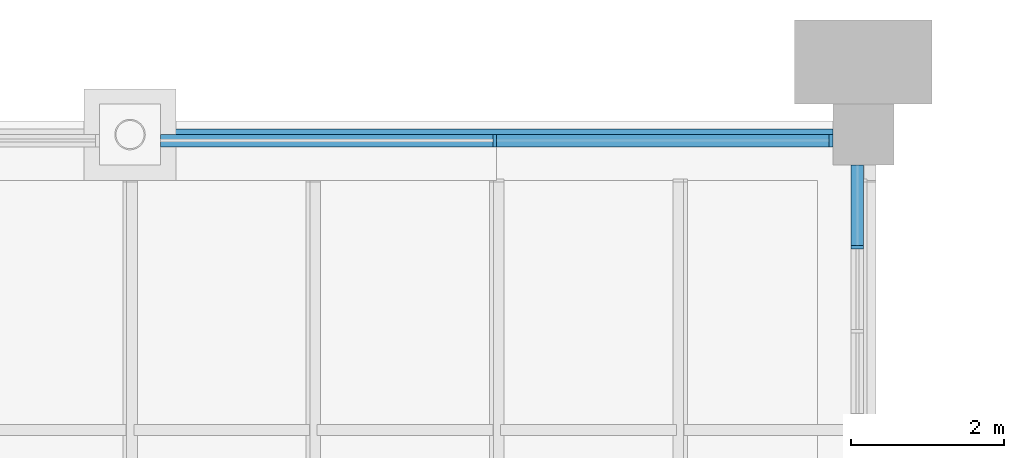
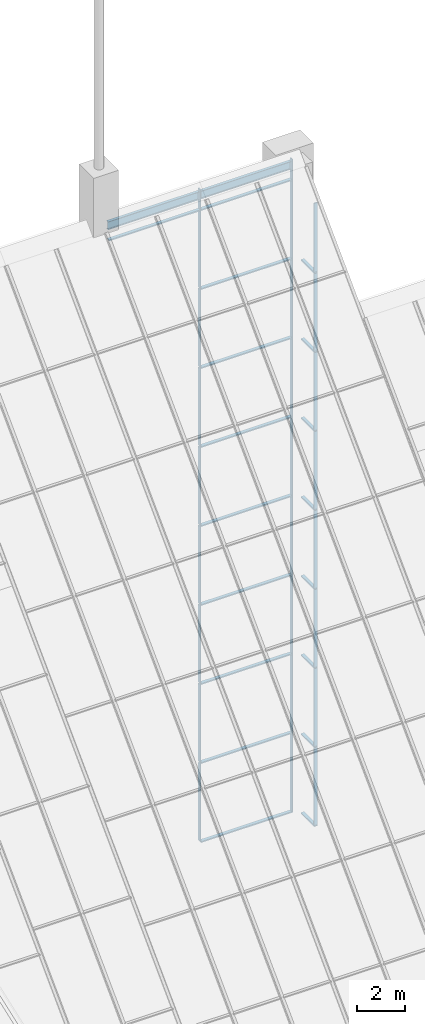
# One storey, part 15 of 25: 44 members, 1 beam, 26 elements without a shape of their own.
"""IFC4 building model written with IfcOpenShell, lengths in metres."""

from ifc_helpers import new_model, si_unit, direction, frame, origin, origin_2d, place, context, subcontext, project, spatial, rectangle, i_section, extrude, material, material_profile, profile_set, type_object, element, aggregate, save


model = new_model("IFC4")

# Units and contexts
model_context = context("Model", 3, precision=1e-05, world=origin(), true_north=direction((0.0, 1.0)))
body_context = subcontext(model_context, "Body", "Model", "MODEL_VIEW")
ifc_project = project(units=[si_unit("LENGTHUNIT", "METRE"), si_unit("AREAUNIT", "SQUARE_METRE"), si_unit("VOLUMEUNIT", "CUBIC_METRE"), si_unit("PLANEANGLEUNIT", "RADIAN"), si_unit("MASSUNIT", "GRAM", prefix="KILO")], contexts=[model_context])

# Site, building, storey
site_placement = place(None, origin())
site = spatial("IfcSite", under=ifc_project, at=site_placement, CompositionType="ELEMENT")
building_placement = place(site_placement, origin())
building = spatial("IfcBuilding", under=site, at=building_placement, Name="Baori Bourse Tower", CompositionType="ELEMENT")
storey_placement = place(building_placement, frame((0.0, 0.0, 378.300048828125)))
storey = spatial("IfcBuildingStorey", under=building, at=storey_placement, Name="Roof", CompositionType="ELEMENT", Elevation=378.300048828125)

# Curtain wall, member
ifc_material_1 = material(Name="Pale anodised aluminium", Category="aluminium")
curtain_wall_type = type_object("IfcCurtainWallType", Name="CW3 Curtain wall", PredefinedType="NOTDEFINED", material=ifc_material_1)
curtain_wall_1_placement = place(storey_placement, origin())
curtain_wall_1 = element("IfcCurtainWall", 1, at=curtain_wall_1_placement, inside=storey, type_object=curtain_wall_type, Name="Curtain wall CW3 Roof 57", PredefinedType="NOTDEFINED")
ifc_material_2 = material(Name="Pale anodised aluminium", Category="aluminium")
ifc_material_profile_1 = material_profile(ifc_material_2, rectangle(XDim=0.159912109375, YDim=0.050048828125, at=origin_2d()), Name="Mullion 50x160")
ifc_profile_set_1 = profile_set([ifc_material_profile_1], Name="Pale anodised aluminium")
member_type_1 = type_object("IfcMemberType", Name="CW3 Curtain wall mullion", PredefinedType="MULLION", material=ifc_profile_set_1)
member_1_placement = place(storey_placement, frame((38.320068359375, 46.52490234375, -0.18994140625), z_axis=(0.0, 0.0, 1.0), x_axis=(-1.0, 0.0, 0.0)))
member_1 = element("IfcMember", 2, at=member_1_placement, type_object=member_type_1, Name="Curtain wall CW3 mullion", PredefinedType="MULLION", context=body_context, shape_type="SweptSolid", body=[
    extrude(rectangle(XDim=0.159912109375, YDim=0.050048828125, at=origin_2d()), origin(), (0.0, 0.0, 1.0), 3.93994140625),
])

curtain_wall_2_placement = place(storey_placement, origin())
curtain_wall_2 = element("IfcCurtainWall", 3, at=curtain_wall_2_placement, inside=storey, type_object=curtain_wall_type, Name="Curtain wall CW3 Roof 58", PredefinedType="NOTDEFINED")
member_2_placement = place(storey_placement, frame((38.320068359375, 46.52490234375, 3.81005859375), z_axis=(0.0, 0.0, 1.0), x_axis=(-1.0, 0.0, 0.0)))
member_2 = element("IfcMember", 4, at=member_2_placement, type_object=member_type_1, Name="Curtain wall CW3 mullion", PredefinedType="MULLION", context=body_context, shape_type="SweptSolid", body=[
    extrude(rectangle(XDim=0.159912109375, YDim=0.050048828125, at=origin_2d()), origin(), (0.0, 0.0, 1.0), 3.93994140625),
])

curtain_wall_3_placement = place(storey_placement, origin())
curtain_wall_3 = element("IfcCurtainWall", 5, at=curtain_wall_3_placement, inside=storey, type_object=curtain_wall_type, Name="Curtain wall CW3 Roof 59", PredefinedType="NOTDEFINED")
member_3_placement = place(storey_placement, frame((38.320068359375, 46.52490234375, 7.81005859375), z_axis=(0.0, 0.0, 1.0), x_axis=(-1.0, 0.0, 0.0)))
member_3 = element("IfcMember", 6, at=member_3_placement, type_object=member_type_1, Name="Curtain wall CW3 mullion", PredefinedType="MULLION", context=body_context, shape_type="SweptSolid", body=[
    extrude(rectangle(XDim=0.159912109375, YDim=0.050048828125, at=origin_2d()), origin(), (0.0, 0.0, 1.0), 3.93994140625),
])

curtain_wall_4_placement = place(storey_placement, origin())
curtain_wall_4 = element("IfcCurtainWall", 7, at=curtain_wall_4_placement, inside=storey, type_object=curtain_wall_type, Name="Curtain wall CW3 Roof 60", PredefinedType="NOTDEFINED")
member_4_placement = place(storey_placement, frame((38.320068359375, 46.52490234375, 11.81005859375), z_axis=(0.0, 0.0, 1.0), x_axis=(-1.0, 0.0, 0.0)))
member_4 = element("IfcMember", 8, at=member_4_placement, type_object=member_type_1, Name="Curtain wall CW3 mullion", PredefinedType="MULLION", context=body_context, shape_type="SweptSolid", body=[
    extrude(rectangle(XDim=0.159912109375, YDim=0.050048828125, at=origin_2d()), origin(), (0.0, 0.0, 1.0), 3.93994140625),
])

curtain_wall_5_placement = place(storey_placement, origin())
curtain_wall_5 = element("IfcCurtainWall", 9, at=curtain_wall_5_placement, inside=storey, type_object=curtain_wall_type, Name="Curtain wall CW3 Roof 61", PredefinedType="NOTDEFINED")
member_5_placement = place(storey_placement, frame((38.320068359375, 46.52490234375, 15.81005859375), z_axis=(0.0, 0.0, 1.0), x_axis=(-1.0, 0.0, 0.0)))
member_5 = element("IfcMember", 10, at=member_5_placement, type_object=member_type_1, Name="Curtain wall CW3 mullion", PredefinedType="MULLION", context=body_context, shape_type="SweptSolid", body=[
    extrude(rectangle(XDim=0.159912109375, YDim=0.050048828125, at=origin_2d()), origin(), (0.0, 0.0, 1.0), 3.93994140625),
])

curtain_wall_6_placement = place(storey_placement, origin())
curtain_wall_6 = element("IfcCurtainWall", 11, at=curtain_wall_6_placement, inside=storey, type_object=curtain_wall_type, Name="Curtain wall CW3 Roof 62", PredefinedType="NOTDEFINED")
member_6_placement = place(storey_placement, frame((38.320068359375, 46.52490234375, 19.81005859375), z_axis=(0.0, 0.0, 1.0), x_axis=(-1.0, 0.0, 0.0)))
member_6 = element("IfcMember", 12, at=member_6_placement, type_object=member_type_1, Name="Curtain wall CW3 mullion", PredefinedType="MULLION", context=body_context, shape_type="SweptSolid", body=[
    extrude(rectangle(XDim=0.159912109375, YDim=0.050048828125, at=origin_2d()), origin(), (0.0, 0.0, 1.0), 3.93994140625),
])

curtain_wall_7_placement = place(storey_placement, origin())
curtain_wall_7 = element("IfcCurtainWall", 13, at=curtain_wall_7_placement, inside=storey, type_object=curtain_wall_type, Name="Curtain wall CW3 Roof 63", PredefinedType="NOTDEFINED")
member_7_placement = place(storey_placement, frame((38.320068359375, 46.52490234375, 23.81005859375), z_axis=(0.0, 0.0, 1.0), x_axis=(-1.0, 0.0, 0.0)))
member_7 = element("IfcMember", 14, at=member_7_placement, type_object=member_type_1, Name="Curtain wall CW3 mullion", PredefinedType="MULLION", context=body_context, shape_type="SweptSolid", body=[
    extrude(rectangle(XDim=0.159912109375, YDim=0.050048828125, at=origin_2d()), origin(), (0.0, 0.0, 1.0), 3.93994140625),
])

curtain_wall_8_placement = place(storey_placement, origin())
curtain_wall_8 = element("IfcCurtainWall", 15, at=curtain_wall_8_placement, inside=storey, type_object=curtain_wall_type, Name="Curtain wall CW3 Roof 64", PredefinedType="NOTDEFINED")
member_8_placement = place(storey_placement, frame((38.320068359375, 46.52490234375, 27.81005859375), z_axis=(0.0, 0.0, 1.0), x_axis=(-1.0, 0.0, 0.0)))
member_8 = element("IfcMember", 16, at=member_8_placement, type_object=member_type_1, Name="Curtain wall CW3 mullion", PredefinedType="MULLION", context=body_context, shape_type="SweptSolid", body=[
    extrude(rectangle(XDim=0.159912109375, YDim=0.050048828125, at=origin_2d()), origin(), (0.0, 0.0, 1.0), 3.501220703125),
])

curtain_wall_9_placement = place(storey_placement, origin())
curtain_wall_9 = element("IfcCurtainWall", 17, at=curtain_wall_9_placement, inside=storey, type_object=curtain_wall_type, Name="Curtain wall CW3 Roof 65", PredefinedType="NOTDEFINED")
member_9_placement = place(storey_placement, frame((37.97509765625, 47.919921875, -0.18994140625), z_axis=(0.0, 0.0, 1.0), x_axis=(0.0, -1.0, 0.0)))
member_9 = element("IfcMember", 18, at=member_9_placement, type_object=member_type_1, Name="Curtain wall CW3 mullion", PredefinedType="MULLION", context=body_context, shape_type="SweptSolid", body=[
    extrude(rectangle(XDim=0.159912109375, YDim=0.050048828125, at=origin_2d()), origin(), (0.0, 0.0, 1.0), 3.93994140625),
])

curtain_wall_10_placement = place(storey_placement, origin())
curtain_wall_10 = element("IfcCurtainWall", 19, at=curtain_wall_10_placement, inside=storey, type_object=curtain_wall_type, Name="Curtain wall CW3 Roof 66", PredefinedType="NOTDEFINED")
member_10_placement = place(storey_placement, frame((37.97509765625, 47.919921875, 3.81005859375), z_axis=(0.0, 0.0, 1.0), x_axis=(0.0, -1.0, 0.0)))
member_10 = element("IfcMember", 20, at=member_10_placement, type_object=member_type_1, Name="Curtain wall CW3 mullion", PredefinedType="MULLION", context=body_context, shape_type="SweptSolid", body=[
    extrude(rectangle(XDim=0.159912109375, YDim=0.050048828125, at=origin_2d()), origin(), (0.0, 0.0, 1.0), 3.93994140625),
])

curtain_wall_11_placement = place(storey_placement, origin())
curtain_wall_11 = element("IfcCurtainWall", 21, at=curtain_wall_11_placement, inside=storey, type_object=curtain_wall_type, Name="Curtain wall CW3 Roof 67", PredefinedType="NOTDEFINED")
member_11_placement = place(storey_placement, frame((37.97509765625, 47.919921875, 7.81005859375), z_axis=(0.0, 0.0, 1.0), x_axis=(0.0, -1.0, 0.0)))
member_11 = element("IfcMember", 22, at=member_11_placement, type_object=member_type_1, Name="Curtain wall CW3 mullion", PredefinedType="MULLION", context=body_context, shape_type="SweptSolid", body=[
    extrude(rectangle(XDim=0.159912109375, YDim=0.050048828125, at=origin_2d()), origin(), (0.0, 0.0, 1.0), 3.93994140625),
])

curtain_wall_12_placement = place(storey_placement, origin())
curtain_wall_12 = element("IfcCurtainWall", 23, at=curtain_wall_12_placement, inside=storey, type_object=curtain_wall_type, Name="Curtain wall CW3 Roof 68", PredefinedType="NOTDEFINED")
member_12_placement = place(storey_placement, frame((37.97509765625, 47.919921875, 11.81005859375), z_axis=(0.0, 0.0, 1.0), x_axis=(0.0, -1.0, 0.0)))
member_12 = element("IfcMember", 24, at=member_12_placement, type_object=member_type_1, Name="Curtain wall CW3 mullion", PredefinedType="MULLION", context=body_context, shape_type="SweptSolid", body=[
    extrude(rectangle(XDim=0.159912109375, YDim=0.050048828125, at=origin_2d()), origin(), (0.0, 0.0, 1.0), 3.93994140625),
])

curtain_wall_13_placement = place(storey_placement, origin())
curtain_wall_13 = element("IfcCurtainWall", 25, at=curtain_wall_13_placement, inside=storey, type_object=curtain_wall_type, Name="Curtain wall CW3 Roof 69", PredefinedType="NOTDEFINED")
member_13_placement = place(storey_placement, frame((37.97509765625, 47.919921875, 15.81005859375), z_axis=(0.0, 0.0, 1.0), x_axis=(0.0, -1.0, 0.0)))
member_13 = element("IfcMember", 26, at=member_13_placement, type_object=member_type_1, Name="Curtain wall CW3 mullion", PredefinedType="MULLION", context=body_context, shape_type="SweptSolid", body=[
    extrude(rectangle(XDim=0.159912109375, YDim=0.050048828125, at=origin_2d()), origin(), (0.0, 0.0, 1.0), 3.93994140625),
])

curtain_wall_14_placement = place(storey_placement, origin())
curtain_wall_14 = element("IfcCurtainWall", 27, at=curtain_wall_14_placement, inside=storey, type_object=curtain_wall_type, Name="Curtain wall CW3 Roof 70", PredefinedType="NOTDEFINED")
member_14_placement = place(storey_placement, frame((37.97509765625, 47.919921875, 19.81005859375), z_axis=(0.0, 0.0, 1.0), x_axis=(0.0, -1.0, 0.0)))
member_14 = element("IfcMember", 28, at=member_14_placement, type_object=member_type_1, Name="Curtain wall CW3 mullion", PredefinedType="MULLION", context=body_context, shape_type="SweptSolid", body=[
    extrude(rectangle(XDim=0.159912109375, YDim=0.050048828125, at=origin_2d()), origin(), (0.0, 0.0, 1.0), 3.93994140625),
])

curtain_wall_15_placement = place(storey_placement, origin())
curtain_wall_15 = element("IfcCurtainWall", 29, at=curtain_wall_15_placement, inside=storey, type_object=curtain_wall_type, Name="Curtain wall CW3 Roof 71", PredefinedType="NOTDEFINED")
member_15_placement = place(storey_placement, frame((37.97509765625, 47.919921875, 23.81005859375), z_axis=(0.0, 0.0, 1.0), x_axis=(0.0, -1.0, 0.0)))
member_15 = element("IfcMember", 30, at=member_15_placement, type_object=member_type_1, Name="Curtain wall CW3 mullion", PredefinedType="MULLION", context=body_context, shape_type="SweptSolid", body=[
    extrude(rectangle(XDim=0.159912109375, YDim=0.050048828125, at=origin_2d()), origin(), (0.0, 0.0, 1.0), 3.93994140625),
])

curtain_wall_16_placement = place(storey_placement, origin())
curtain_wall_16 = element("IfcCurtainWall", 31, at=curtain_wall_16_placement, inside=storey, type_object=curtain_wall_type, Name="Curtain wall CW3 Roof 72", PredefinedType="NOTDEFINED")
member_16_placement = place(storey_placement, frame((37.97509765625, 47.919921875, 27.81005859375), z_axis=(0.0, 0.0, 1.0), x_axis=(0.0, -1.0, 0.0)))
member_16 = element("IfcMember", 32, at=member_16_placement, type_object=member_type_1, Name="Curtain wall CW3 mullion", PredefinedType="MULLION", context=body_context, shape_type="SweptSolid", body=[
    extrude(rectangle(XDim=0.159912109375, YDim=0.050048828125, at=origin_2d()), origin(), (0.0, 0.0, 1.0), 3.93994140625),
])

curtain_wall_17_placement = place(storey_placement, origin())
curtain_wall_17 = element("IfcCurtainWall", 33, at=curtain_wall_17_placement, inside=storey, type_object=curtain_wall_type, Name="Curtain wall CW3 Roof 73", PredefinedType="NOTDEFINED")
member_17_placement = place(storey_placement, frame((37.97509765625, 47.919921875, 31.81005859375), z_axis=(0.0, 0.0, 1.0), x_axis=(0.0, -1.0, 0.0)))
member_17 = element("IfcMember", 34, at=member_17_placement, type_object=member_type_1, Name="Curtain wall CW3 mullion", PredefinedType="MULLION", context=body_context, shape_type="SweptSolid", body=[
    extrude(rectangle(XDim=0.159912109375, YDim=0.050048828125, at=origin_2d()), origin(), (0.0, 0.0, 1.0), 1.019775390625),
])

curtain_wall_18_placement = place(storey_placement, origin())
curtain_wall_18 = element("IfcCurtainWall", 35, at=curtain_wall_18_placement, inside=storey, type_object=curtain_wall_type, Name="Curtain wall CW3 Roof 74", PredefinedType="NOTDEFINED")
member_18_placement = place(storey_placement, frame((33.574951171875, 47.919921875, -0.18994140625), z_axis=(0.0, 0.0, 1.0), x_axis=(0.0, -1.0, 0.0)))
member_18 = element("IfcMember", 36, at=member_18_placement, type_object=member_type_1, Name="Curtain wall CW3 mullion", PredefinedType="MULLION", context=body_context, shape_type="SweptSolid", body=[
    extrude(rectangle(XDim=0.159912109375, YDim=0.050048828125, at=origin_2d()), origin(), (0.0, 0.0, 1.0), 3.93994140625),
])
aggregate(curtain_wall_18, [member_18])

curtain_wall_19_placement = place(storey_placement, origin())
curtain_wall_19 = element("IfcCurtainWall", 37, at=curtain_wall_19_placement, inside=storey, type_object=curtain_wall_type, Name="Curtain wall CW3 Roof 75", PredefinedType="NOTDEFINED")
member_19_placement = place(storey_placement, frame((33.574951171875, 47.919921875, 3.81005859375), z_axis=(0.0, 0.0, 1.0), x_axis=(0.0, -1.0, 0.0)))
member_19 = element("IfcMember", 38, at=member_19_placement, type_object=member_type_1, Name="Curtain wall CW3 mullion", PredefinedType="MULLION", context=body_context, shape_type="SweptSolid", body=[
    extrude(rectangle(XDim=0.159912109375, YDim=0.050048828125, at=origin_2d()), origin(), (0.0, 0.0, 1.0), 3.93994140625),
])
aggregate(curtain_wall_19, [member_19])

curtain_wall_20_placement = place(storey_placement, origin())
curtain_wall_20 = element("IfcCurtainWall", 39, at=curtain_wall_20_placement, inside=storey, type_object=curtain_wall_type, Name="Curtain wall CW3 Roof 76", PredefinedType="NOTDEFINED")
member_20_placement = place(storey_placement, frame((33.574951171875, 47.919921875, 7.81005859375), z_axis=(0.0, 0.0, 1.0), x_axis=(0.0, -1.0, 0.0)))
member_20 = element("IfcMember", 40, at=member_20_placement, type_object=member_type_1, Name="Curtain wall CW3 mullion", PredefinedType="MULLION", context=body_context, shape_type="SweptSolid", body=[
    extrude(rectangle(XDim=0.159912109375, YDim=0.050048828125, at=origin_2d()), origin(), (0.0, 0.0, 1.0), 3.93994140625),
])
aggregate(curtain_wall_20, [member_20])

curtain_wall_21_placement = place(storey_placement, origin())
curtain_wall_21 = element("IfcCurtainWall", 41, at=curtain_wall_21_placement, inside=storey, type_object=curtain_wall_type, Name="Curtain wall CW3 Roof 77", PredefinedType="NOTDEFINED")
member_21_placement = place(storey_placement, frame((33.574951171875, 47.919921875, 11.81005859375), z_axis=(0.0, 0.0, 1.0), x_axis=(0.0, -1.0, 0.0)))
member_21 = element("IfcMember", 42, at=member_21_placement, type_object=member_type_1, Name="Curtain wall CW3 mullion", PredefinedType="MULLION", context=body_context, shape_type="SweptSolid", body=[
    extrude(rectangle(XDim=0.159912109375, YDim=0.050048828125, at=origin_2d()), origin(), (0.0, 0.0, 1.0), 3.93994140625),
])
aggregate(curtain_wall_21, [member_21])

curtain_wall_22_placement = place(storey_placement, origin())
curtain_wall_22 = element("IfcCurtainWall", 43, at=curtain_wall_22_placement, inside=storey, type_object=curtain_wall_type, Name="Curtain wall CW3 Roof 78", PredefinedType="NOTDEFINED")
member_22_placement = place(storey_placement, frame((33.574951171875, 47.919921875, 15.81005859375), z_axis=(0.0, 0.0, 1.0), x_axis=(0.0, -1.0, 0.0)))
member_22 = element("IfcMember", 44, at=member_22_placement, type_object=member_type_1, Name="Curtain wall CW3 mullion", PredefinedType="MULLION", context=body_context, shape_type="SweptSolid", body=[
    extrude(rectangle(XDim=0.159912109375, YDim=0.050048828125, at=origin_2d()), origin(), (0.0, 0.0, 1.0), 3.93994140625),
])
aggregate(curtain_wall_22, [member_22])

curtain_wall_23_placement = place(storey_placement, origin())
curtain_wall_23 = element("IfcCurtainWall", 45, at=curtain_wall_23_placement, inside=storey, type_object=curtain_wall_type, Name="Curtain wall CW3 Roof 79", PredefinedType="NOTDEFINED")
member_23_placement = place(storey_placement, frame((33.574951171875, 47.919921875, 19.81005859375), z_axis=(0.0, 0.0, 1.0), x_axis=(0.0, -1.0, 0.0)))
member_23 = element("IfcMember", 46, at=member_23_placement, type_object=member_type_1, Name="Curtain wall CW3 mullion", PredefinedType="MULLION", context=body_context, shape_type="SweptSolid", body=[
    extrude(rectangle(XDim=0.159912109375, YDim=0.050048828125, at=origin_2d()), origin(), (0.0, 0.0, 1.0), 3.93994140625),
])
aggregate(curtain_wall_23, [member_23])

curtain_wall_24_placement = place(storey_placement, origin())
curtain_wall_24 = element("IfcCurtainWall", 47, at=curtain_wall_24_placement, inside=storey, type_object=curtain_wall_type, Name="Curtain wall CW3 Roof 80", PredefinedType="NOTDEFINED")
member_24_placement = place(storey_placement, frame((33.574951171875, 47.919921875, 23.81005859375), z_axis=(0.0, 0.0, 1.0), x_axis=(0.0, -1.0, 0.0)))
member_24 = element("IfcMember", 48, at=member_24_placement, type_object=member_type_1, Name="Curtain wall CW3 mullion", PredefinedType="MULLION", context=body_context, shape_type="SweptSolid", body=[
    extrude(rectangle(XDim=0.159912109375, YDim=0.050048828125, at=origin_2d()), origin(), (0.0, 0.0, 1.0), 3.93994140625),
])
aggregate(curtain_wall_24, [member_24])

curtain_wall_25_placement = place(storey_placement, origin())
curtain_wall_25 = element("IfcCurtainWall", 49, at=curtain_wall_25_placement, inside=storey, type_object=curtain_wall_type, Name="Curtain wall CW3 Roof 81", PredefinedType="NOTDEFINED")
member_25_placement = place(storey_placement, frame((33.574951171875, 47.919921875, 27.81005859375), z_axis=(0.0, 0.0, 1.0), x_axis=(0.0, -1.0, 0.0)))
member_25 = element("IfcMember", 50, at=member_25_placement, type_object=member_type_1, Name="Curtain wall CW3 mullion", PredefinedType="MULLION", context=body_context, shape_type="SweptSolid", body=[
    extrude(rectangle(XDim=0.159912109375, YDim=0.050048828125, at=origin_2d()), origin(), (0.0, 0.0, 1.0), 3.93994140625),
])
aggregate(curtain_wall_25, [member_25])

curtain_wall_26_placement = place(storey_placement, origin())
curtain_wall_26 = element("IfcCurtainWall", 51, at=curtain_wall_26_placement, inside=storey, type_object=curtain_wall_type, Name="Curtain wall CW3 Roof 82", PredefinedType="NOTDEFINED")
member_26_placement = place(storey_placement, frame((33.574951171875, 47.919921875, 31.81005859375), z_axis=(0.0, 0.0, 1.0), x_axis=(0.0, -1.0, 0.0)))
member_26 = element("IfcMember", 52, at=member_26_placement, type_object=member_type_1, Name="Curtain wall CW3 mullion", PredefinedType="MULLION", context=body_context, shape_type="SweptSolid", body=[
    extrude(rectangle(XDim=0.159912109375, YDim=0.050048828125, at=origin_2d()), origin(), (0.0, 0.0, 1.0), 1.019775390625),
])

# Member
ifc_material_3 = material(Name="Pale anodised aluminium", Category="aluminium")
ifc_material_profile_2 = material_profile(ifc_material_3, rectangle(XDim=0.159912109375, YDim=0.06005859375, at=origin_2d()), Name="Transom 60x160")
ifc_profile_set_2 = profile_set([ifc_material_profile_2], Name="Pale anodised aluminium")
member_type_2 = type_object("IfcMemberType", Name="CW3 Curtain wall transom", PredefinedType="USERDEFINED", material=ifc_profile_set_2)
member_27_placement = place(storey_placement, frame((38.320068359375, 46.5, -0.219970703125), z_axis=(0.0, 1.0, 0.0), x_axis=(-1.0, 0.0, 0.0)))
member_27 = element("IfcMember", 53, at=member_27_placement, type_object=member_type_2, Name="Curtain wall CW3 sill rail", ObjectType="TRANSOM", PredefinedType="USERDEFINED", context=body_context, shape_type="SweptSolid", body=[
    extrude(rectangle(XDim=0.159912109375, YDim=0.06005859375, at=origin_2d()), origin(), (0.0, 0.0, 1.0), 1.10009765625),
])

aggregate(curtain_wall_1, [member_27, member_1])

member_28_placement = place(storey_placement, frame((38.320068359375, 46.5, 3.780029296875), z_axis=(0.0, 1.0, 0.0), x_axis=(-1.0, 0.0, 0.0)))
member_28 = element("IfcMember", 54, at=member_28_placement, type_object=member_type_2, Name="Curtain wall CW3 sill rail", ObjectType="TRANSOM", PredefinedType="USERDEFINED", context=body_context, shape_type="SweptSolid", body=[
    extrude(rectangle(XDim=0.159912109375, YDim=0.06005859375, at=origin_2d()), origin(), (0.0, 0.0, 1.0), 1.10009765625),
])

aggregate(curtain_wall_2, [member_28, member_2])

member_29_placement = place(storey_placement, frame((38.320068359375, 46.5, 7.780029296875), z_axis=(0.0, 1.0, 0.0), x_axis=(-1.0, 0.0, 0.0)))
member_29 = element("IfcMember", 55, at=member_29_placement, type_object=member_type_2, Name="Curtain wall CW3 sill rail", ObjectType="TRANSOM", PredefinedType="USERDEFINED", context=body_context, shape_type="SweptSolid", body=[
    extrude(rectangle(XDim=0.159912109375, YDim=0.06005859375, at=origin_2d()), origin(), (0.0, 0.0, 1.0), 1.10009765625),
])

aggregate(curtain_wall_3, [member_29, member_3])

member_30_placement = place(storey_placement, frame((38.320068359375, 46.5, 11.780029296875), z_axis=(0.0, 1.0, 0.0), x_axis=(-1.0, 0.0, 0.0)))
member_30 = element("IfcMember", 56, at=member_30_placement, type_object=member_type_2, Name="Curtain wall CW3 sill rail", ObjectType="TRANSOM", PredefinedType="USERDEFINED", context=body_context, shape_type="SweptSolid", body=[
    extrude(rectangle(XDim=0.159912109375, YDim=0.06005859375, at=origin_2d()), origin(), (0.0, 0.0, 1.0), 1.10009765625),
])

aggregate(curtain_wall_4, [member_30, member_4])

member_31_placement = place(storey_placement, frame((38.320068359375, 46.5, 15.780029296875), z_axis=(0.0, 1.0, 0.0), x_axis=(-1.0, 0.0, 0.0)))
member_31 = element("IfcMember", 57, at=member_31_placement, type_object=member_type_2, Name="Curtain wall CW3 sill rail", ObjectType="TRANSOM", PredefinedType="USERDEFINED", context=body_context, shape_type="SweptSolid", body=[
    extrude(rectangle(XDim=0.159912109375, YDim=0.06005859375, at=origin_2d()), origin(), (0.0, 0.0, 1.0), 1.10009765625),
])

aggregate(curtain_wall_5, [member_31, member_5])

member_32_placement = place(storey_placement, frame((38.320068359375, 46.5, 19.780029296875), z_axis=(0.0, 1.0, 0.0), x_axis=(-1.0, 0.0, 0.0)))
member_32 = element("IfcMember", 58, at=member_32_placement, type_object=member_type_2, Name="Curtain wall CW3 sill rail", ObjectType="TRANSOM", PredefinedType="USERDEFINED", context=body_context, shape_type="SweptSolid", body=[
    extrude(rectangle(XDim=0.159912109375, YDim=0.06005859375, at=origin_2d()), origin(), (0.0, 0.0, 1.0), 1.10009765625),
])

aggregate(curtain_wall_6, [member_32, member_6])

member_33_placement = place(storey_placement, frame((38.320068359375, 46.5, 23.780029296875), z_axis=(0.0, 1.0, 0.0), x_axis=(-1.0, 0.0, 0.0)))
member_33 = element("IfcMember", 59, at=member_33_placement, type_object=member_type_2, Name="Curtain wall CW3 sill rail", ObjectType="TRANSOM", PredefinedType="USERDEFINED", context=body_context, shape_type="SweptSolid", body=[
    extrude(rectangle(XDim=0.159912109375, YDim=0.06005859375, at=origin_2d()), origin(), (0.0, 0.0, 1.0), 1.10009765625),
])

aggregate(curtain_wall_7, [member_33, member_7])

member_34_placement = place(storey_placement, frame((38.320068359375, 46.5, 27.780029296875), z_axis=(0.0, 1.0, 0.0), x_axis=(-1.0, 0.0, 0.0)))
member_34 = element("IfcMember", 60, at=member_34_placement, type_object=member_type_2, Name="Curtain wall CW3 sill rail", ObjectType="TRANSOM", PredefinedType="USERDEFINED", context=body_context, shape_type="SweptSolid", body=[
    extrude(rectangle(XDim=0.159912109375, YDim=0.06005859375, at=origin_2d()), origin(), (0.0, 0.0, 1.0), 1.10009765625),
])

aggregate(curtain_wall_8, [member_34, member_8])

member_35_placement = place(storey_placement, frame((38.0, 47.919921875, -0.219970703125), z_axis=(-1.0, 0.0, 0.0), x_axis=(0.0, -1.0, 0.0)))
member_35 = element("IfcMember", 61, at=member_35_placement, type_object=member_type_2, Name="Curtain wall CW3 sill rail", ObjectType="TRANSOM", PredefinedType="USERDEFINED", context=body_context, shape_type="SweptSolid", body=[
    extrude(rectangle(XDim=0.159912109375, YDim=0.06005859375, at=origin_2d()), origin(), (0.0, 0.0, 1.0), 4.39990234375),
])

aggregate(curtain_wall_9, [member_35, member_9])

member_36_placement = place(storey_placement, frame((38.0, 47.919921875, 3.780029296875), z_axis=(-1.0, 0.0, 0.0), x_axis=(0.0, -1.0, 0.0)))
member_36 = element("IfcMember", 62, at=member_36_placement, type_object=member_type_2, Name="Curtain wall CW3 sill rail", ObjectType="TRANSOM", PredefinedType="USERDEFINED", context=body_context, shape_type="SweptSolid", body=[
    extrude(rectangle(XDim=0.159912109375, YDim=0.06005859375, at=origin_2d()), origin(), (0.0, 0.0, 1.0), 4.39990234375),
])

aggregate(curtain_wall_10, [member_36, member_10])

member_37_placement = place(storey_placement, frame((38.0, 47.919921875, 7.780029296875), z_axis=(-1.0, 0.0, 0.0), x_axis=(0.0, -1.0, 0.0)))
member_37 = element("IfcMember", 63, at=member_37_placement, type_object=member_type_2, Name="Curtain wall CW3 sill rail", ObjectType="TRANSOM", PredefinedType="USERDEFINED", context=body_context, shape_type="SweptSolid", body=[
    extrude(rectangle(XDim=0.159912109375, YDim=0.06005859375, at=origin_2d()), origin(), (0.0, 0.0, 1.0), 4.39990234375),
])

aggregate(curtain_wall_11, [member_37, member_11])

member_38_placement = place(storey_placement, frame((38.0, 47.919921875, 11.780029296875), z_axis=(-1.0, 0.0, 0.0), x_axis=(0.0, -1.0, 0.0)))
member_38 = element("IfcMember", 64, at=member_38_placement, type_object=member_type_2, Name="Curtain wall CW3 sill rail", ObjectType="TRANSOM", PredefinedType="USERDEFINED", context=body_context, shape_type="SweptSolid", body=[
    extrude(rectangle(XDim=0.159912109375, YDim=0.06005859375, at=origin_2d()), origin(), (0.0, 0.0, 1.0), 4.39990234375),
])

aggregate(curtain_wall_12, [member_38, member_12])

member_39_placement = place(storey_placement, frame((38.0, 47.919921875, 15.780029296875), z_axis=(-1.0, 0.0, 0.0), x_axis=(0.0, -1.0, 0.0)))
member_39 = element("IfcMember", 65, at=member_39_placement, type_object=member_type_2, Name="Curtain wall CW3 sill rail", ObjectType="TRANSOM", PredefinedType="USERDEFINED", context=body_context, shape_type="SweptSolid", body=[
    extrude(rectangle(XDim=0.159912109375, YDim=0.06005859375, at=origin_2d()), origin(), (0.0, 0.0, 1.0), 4.39990234375),
])

aggregate(curtain_wall_13, [member_39, member_13])

member_40_placement = place(storey_placement, frame((38.0, 47.919921875, 19.780029296875), z_axis=(-1.0, 0.0, 0.0), x_axis=(0.0, -1.0, 0.0)))
member_40 = element("IfcMember", 66, at=member_40_placement, type_object=member_type_2, Name="Curtain wall CW3 sill rail", ObjectType="TRANSOM", PredefinedType="USERDEFINED", context=body_context, shape_type="SweptSolid", body=[
    extrude(rectangle(XDim=0.159912109375, YDim=0.06005859375, at=origin_2d()), origin(), (0.0, 0.0, 1.0), 4.39990234375),
])

aggregate(curtain_wall_14, [member_40, member_14])

member_41_placement = place(storey_placement, frame((38.0, 47.919921875, 23.780029296875), z_axis=(-1.0, 0.0, 0.0), x_axis=(0.0, -1.0, 0.0)))
member_41 = element("IfcMember", 67, at=member_41_placement, type_object=member_type_2, Name="Curtain wall CW3 sill rail", ObjectType="TRANSOM", PredefinedType="USERDEFINED", context=body_context, shape_type="SweptSolid", body=[
    extrude(rectangle(XDim=0.159912109375, YDim=0.06005859375, at=origin_2d()), origin(), (0.0, 0.0, 1.0), 4.39990234375),
])

aggregate(curtain_wall_15, [member_41, member_15])

member_42_placement = place(storey_placement, frame((38.0, 47.919921875, 27.780029296875), z_axis=(-1.0, 0.0, 0.0), x_axis=(0.0, -1.0, 0.0)))
member_42 = element("IfcMember", 68, at=member_42_placement, type_object=member_type_2, Name="Curtain wall CW3 sill rail", ObjectType="TRANSOM", PredefinedType="USERDEFINED", context=body_context, shape_type="SweptSolid", body=[
    extrude(rectangle(XDim=0.159912109375, YDim=0.06005859375, at=origin_2d()), origin(), (0.0, 0.0, 1.0), 4.39990234375),
])

aggregate(curtain_wall_16, [member_42, member_16])

member_43_placement = place(storey_placement, frame((38.0, 47.919921875, 31.780029296875), z_axis=(-1.0, 0.0, 0.0), x_axis=(0.0, -1.0, 0.0)))
member_43 = element("IfcMember", 69, at=member_43_placement, type_object=member_type_2, Name="Curtain wall CW3 sill rail", ObjectType="TRANSOM", PredefinedType="USERDEFINED", context=body_context, shape_type="SweptSolid", body=[
    extrude(rectangle(XDim=0.159912109375, YDim=0.06005859375, at=origin_2d()), origin(), (0.0, 0.0, 1.0), 4.39990234375),
])

aggregate(curtain_wall_17, [member_43, member_17])

member_44_placement = place(storey_placement, frame((33.60009765625, 47.919921875, 31.780029296875), z_axis=(-1.0, 0.0, 0.0), x_axis=(0.0, -1.0, 0.0)))
member_44 = element("IfcMember", 70, at=member_44_placement, type_object=member_type_2, Name="Curtain wall CW3 sill rail", ObjectType="TRANSOM", PredefinedType="USERDEFINED", context=body_context, shape_type="SweptSolid", body=[
    extrude(rectangle(XDim=0.159912109375, YDim=0.06005859375, at=origin_2d()), origin(), (0.0, 0.0, 1.0), 4.400146484375),
])

aggregate(curtain_wall_26, [member_44, member_26])

# Beam
ifc_material_4 = material(Name="Steel A992 Gr 50", Category="steel")
ifc_material_profile_3 = material_profile(ifc_material_4, i_section(OverallWidth=0.140380859375, OverallDepth=0.40380859375, WebThickness=0.007080078125, FlangeThickness=0.01123046875, at=origin_2d()), Name="W16x31")
ifc_profile_set_3 = profile_set([ifc_material_profile_3], Name="Steel A992 Gr 50")
beam_type = type_object("IfcBeamType", Name="Roof edge beam W16x31", PredefinedType="BEAM", material=ifc_profile_set_3)
beam_placement = place(storey_placement, frame((29.199951171875, 48.0, 32.466064453125), z_axis=(1.0, 0.0, 0.0), x_axis=(0.0, 1.0, 0.0)))
element("IfcBeam", 71, at=beam_placement, inside=storey, type_object=beam_type, Name="Roof edge beam Roof", PredefinedType="BEAM", context=body_context, shape_type="SweptSolid", body=[
    extrude(i_section(OverallWidth=0.140380859375, OverallDepth=0.40380859375, WebThickness=0.007080078125, FlangeThickness=0.01123046875, at=origin_2d()), origin(), (0.0, 0.0, 1.0), 8.800048828125),
])

save(model, "model.ifc")
